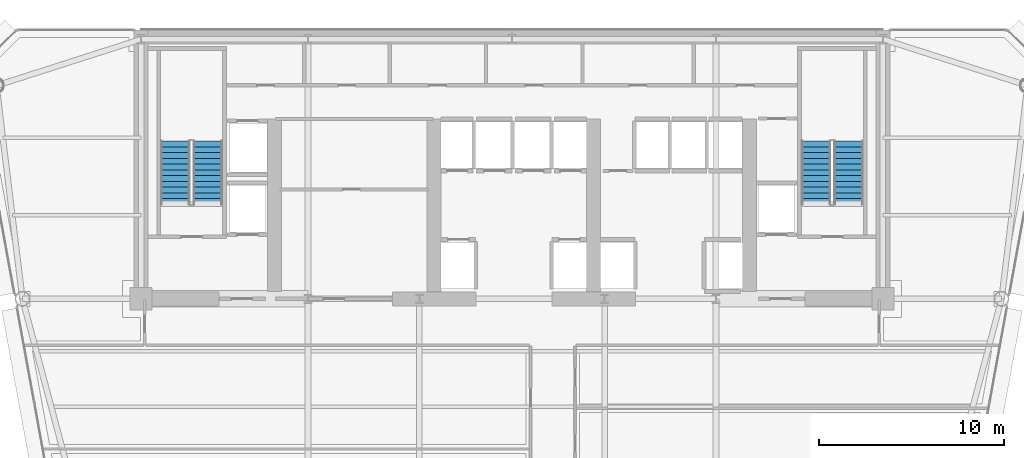
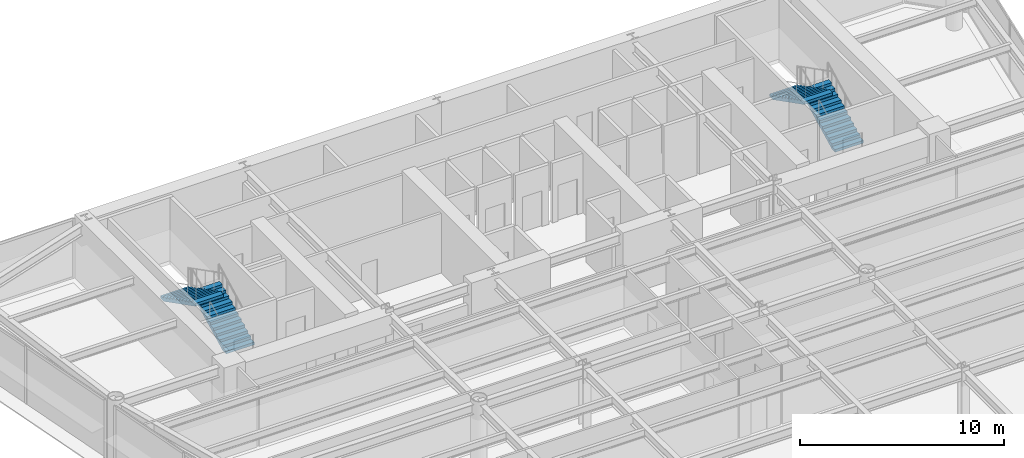
# One storey, part 13 of 17: 4 stair flights, 2 elements without a shape of their own.
"""IFC4 building model written with IfcOpenShell, lengths in metres."""

from ifc_helpers import new_model, si_unit, direction, frame, origin, place, context, subcontext, project, spatial, polyline, outline, extrude, material, type_object, element, aggregate, save


model = new_model("IFC4")

# Units and contexts
model_context = context("Model", 3, precision=1e-05, world=origin(), true_north=direction((0.0, 1.0)))
body_context = subcontext(model_context, "Body", "Model", "MODEL_VIEW")
ifc_project = project(units=[si_unit("LENGTHUNIT", "METRE"), si_unit("AREAUNIT", "SQUARE_METRE"), si_unit("VOLUMEUNIT", "CUBIC_METRE"), si_unit("PLANEANGLEUNIT", "RADIAN"), si_unit("MASSUNIT", "GRAM", prefix="KILO")], contexts=[model_context])

# Site, building, storey
site_placement = place(None, origin())
site = spatial("IfcSite", under=ifc_project, at=site_placement, CompositionType="ELEMENT")
building_placement = place(site_placement, origin())
building = spatial("IfcBuilding", under=site, at=building_placement, Name="Vaeldorn Concourse Tower", CompositionType="ELEMENT")
storey_placement = place(building_placement, frame((0.0, 0.0, 157.60009765625)))
storey = spatial("IfcBuildingStorey", under=building, at=storey_placement, Name="L40", CompositionType="ELEMENT", Elevation=157.60009765625)

# Stair, stair flights
ifc_material = material(Name="Precast concrete C40/50", Category="concrete")
stair_type = type_object("IfcStairType", Name="STR-DOG-24x158", PredefinedType="HALF_TURN_STAIR", material=ifc_material)
stair_1_placement = place(storey_placement, origin())
stair_1 = element("IfcStair", 1, at=stair_1_placement, inside=storey, type_object=stair_type, Name="L40 West Core Exit Stair ST-1", PredefinedType="HALF_TURN_STAIR")
stair_flight_type = type_object("IfcStairFlightType", Name="STF-STR-12x158", PredefinedType="STRAIGHT", material=ifc_material)
stair_flight_1_placement = place(storey_placement, frame((17.60009765625, 41.60009765625, 0.0), z_axis=(0.0, 0.0, 1.0), x_axis=(0.0, 1.0, 0.0)))
stair_flight_1 = element("IfcStairFlight", 2, at=stair_flight_1_placement, type_object=stair_flight_type, Name="ST-1 flight 1", NumberOfRisers=12, NumberOfTreads=11, PredefinedType="STRAIGHT", RiserHeight=0.158333333, TreadLength=0.31, context=body_context, shape_type="SweptSolid", body=[
    extrude(outline(polyline([(0.0, 0.0), (0.0, 0.158447265625), (0.31005859375, 0.158447265625), (0.31005859375, 0.316650390625), (0.6201171875, 0.316650390625), (0.6201171875, 0.47509765625), (0.929931640625, 0.47509765625), (0.929931640625, 0.63330078125), (1.239990234375, 0.63330078125), (1.239990234375, 0.791748046875), (1.550048828125, 0.791748046875), (1.550048828125, 0.949951171875), (1.860107421875, 0.949951171875), (1.860107421875, 1.1083984375), (2.169921875, 1.1083984375), (2.169921875, 1.2666015625), (2.47998046875, 1.2666015625), (2.47998046875, 1.425048828125), (2.7900390625, 1.425048828125), (2.7900390625, 1.583251953125), (3.10009765625, 1.583251953125), (3.10009765625, 1.74169921875), (3.409912109375, 1.74169921875), (3.409912109375, 1.89990234375), (3.409912109375, 1.5732421875), (0.32958984375, 0.0), (0.0, 0.0)])), frame((0.0, 0.800048828125, 0.0), z_axis=(0.0, -1.0, 0.0), x_axis=(1.0, 0.0, 0.0)), (0.0, 0.0, 1.0), 1.60009765625),
])
stair_flight_2_placement = place(storey_placement, frame((15.85009765625, 45.010009765625, 1.89990234375), z_axis=(0.0, 0.0, 1.0), x_axis=(0.0, -1.0, 0.0)))
stair_flight_2 = element("IfcStairFlight", 3, at=stair_flight_2_placement, type_object=stair_flight_type, Name="ST-1 flight 2", NumberOfRisers=12, NumberOfTreads=11, PredefinedType="STRAIGHT", RiserHeight=0.158333333, TreadLength=0.31, context=body_context, shape_type="SweptSolid", body=[
    extrude(outline(polyline([(0.0, 0.0), (0.0, 0.158447265625), (0.31005859375, 0.158447265625), (0.31005859375, 0.316650390625), (0.6201171875, 0.316650390625), (0.6201171875, 0.47509765625), (0.929931640625, 0.47509765625), (0.929931640625, 0.63330078125), (1.239990234375, 0.63330078125), (1.239990234375, 0.791748046875), (1.550048828125, 0.791748046875), (1.550048828125, 0.949951171875), (1.860107421875, 0.949951171875), (1.860107421875, 1.1083984375), (2.169921875, 1.1083984375), (2.169921875, 1.2666015625), (2.47998046875, 1.2666015625), (2.47998046875, 1.425048828125), (2.7900390625, 1.425048828125), (2.7900390625, 1.583251953125), (3.10009765625, 1.583251953125), (3.10009765625, 1.74169921875), (3.409912109375, 1.74169921875), (3.409912109375, 1.89990234375), (3.409912109375, 1.5732421875), (0.32958984375, 0.0), (0.0, 0.0)])), frame((0.0, 0.800048828125, 0.0), z_axis=(0.0, -1.0, 0.0), x_axis=(1.0, 0.0, 0.0)), (0.0, 0.0, 1.0), 1.60009765625),
])
aggregate(stair_1, [stair_flight_1, stair_flight_2])

stair_2_placement = place(storey_placement, origin())
stair_2 = element("IfcStair", 4, at=stair_2_placement, inside=storey, type_object=stair_type, Name="L40 East Core Exit Stair ST-2", PredefinedType="HALF_TURN_STAIR")
stair_flight_3_placement = place(storey_placement, frame((52.14990234375, 41.60009765625, 0.0), z_axis=(0.0, 0.0, 1.0), x_axis=(0.0, 1.0, 0.0)))
stair_flight_3 = element("IfcStairFlight", 5, at=stair_flight_3_placement, type_object=stair_flight_type, Name="ST-2 flight 1", NumberOfRisers=12, NumberOfTreads=11, PredefinedType="STRAIGHT", RiserHeight=0.158333333, TreadLength=0.31, context=body_context, shape_type="SweptSolid", body=[
    extrude(outline(polyline([(0.0, 0.0), (0.0, 0.158447265625), (0.31005859375, 0.158447265625), (0.31005859375, 0.316650390625), (0.6201171875, 0.316650390625), (0.6201171875, 0.47509765625), (0.929931640625, 0.47509765625), (0.929931640625, 0.63330078125), (1.239990234375, 0.63330078125), (1.239990234375, 0.791748046875), (1.550048828125, 0.791748046875), (1.550048828125, 0.949951171875), (1.860107421875, 0.949951171875), (1.860107421875, 1.1083984375), (2.169921875, 1.1083984375), (2.169921875, 1.2666015625), (2.47998046875, 1.2666015625), (2.47998046875, 1.425048828125), (2.7900390625, 1.425048828125), (2.7900390625, 1.583251953125), (3.10009765625, 1.583251953125), (3.10009765625, 1.74169921875), (3.409912109375, 1.74169921875), (3.409912109375, 1.89990234375), (3.409912109375, 1.5732421875), (0.32958984375, 0.0), (0.0, 0.0)])), frame((0.0, 0.800048828125, 0.0), z_axis=(0.0, -1.0, 0.0), x_axis=(1.0, 0.0, 0.0)), (0.0, 0.0, 1.0), 1.60009765625),
])
stair_flight_4_placement = place(storey_placement, frame((50.39990234375, 45.010009765625, 1.89990234375), z_axis=(0.0, 0.0, 1.0), x_axis=(0.0, -1.0, 0.0)))
stair_flight_4 = element("IfcStairFlight", 6, at=stair_flight_4_placement, type_object=stair_flight_type, Name="ST-2 flight 2", NumberOfRisers=12, NumberOfTreads=11, PredefinedType="STRAIGHT", RiserHeight=0.158333333, TreadLength=0.31, context=body_context, shape_type="SweptSolid", body=[
    extrude(outline(polyline([(0.0, 0.0), (0.0, 0.158447265625), (0.31005859375, 0.158447265625), (0.31005859375, 0.316650390625), (0.6201171875, 0.316650390625), (0.6201171875, 0.47509765625), (0.929931640625, 0.47509765625), (0.929931640625, 0.63330078125), (1.239990234375, 0.63330078125), (1.239990234375, 0.791748046875), (1.550048828125, 0.791748046875), (1.550048828125, 0.949951171875), (1.860107421875, 0.949951171875), (1.860107421875, 1.1083984375), (2.169921875, 1.1083984375), (2.169921875, 1.2666015625), (2.47998046875, 1.2666015625), (2.47998046875, 1.425048828125), (2.7900390625, 1.425048828125), (2.7900390625, 1.583251953125), (3.10009765625, 1.583251953125), (3.10009765625, 1.74169921875), (3.409912109375, 1.74169921875), (3.409912109375, 1.89990234375), (3.409912109375, 1.5732421875), (0.32958984375, 0.0), (0.0, 0.0)])), frame((0.0, 0.800048828125, 0.0), z_axis=(0.0, -1.0, 0.0), x_axis=(1.0, 0.0, 0.0)), (0.0, 0.0, 1.0), 1.60009765625),
])
aggregate(stair_2, [stair_flight_3, stair_flight_4])

save(model, "model.ifc")
